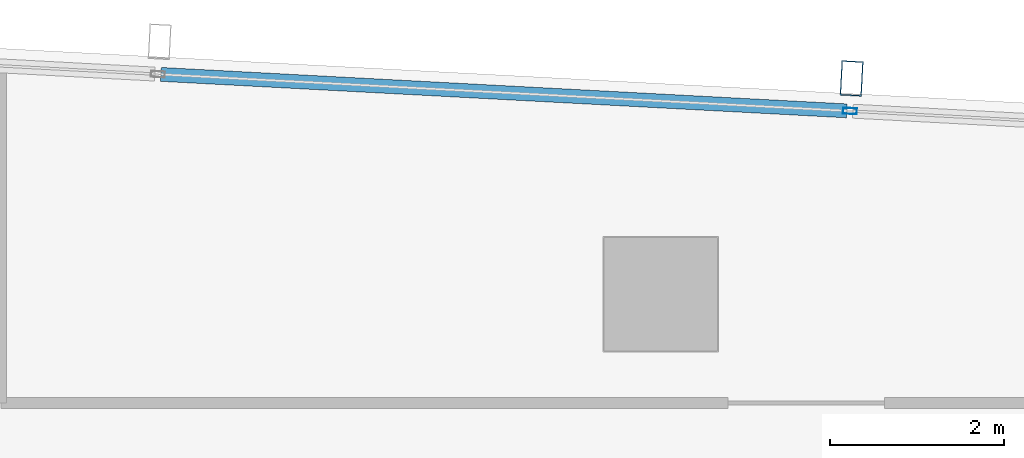
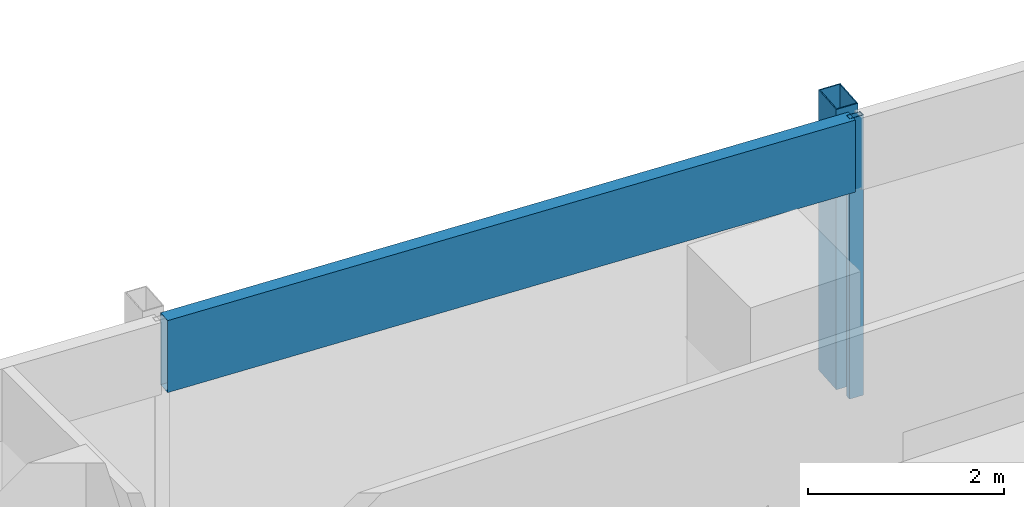
# One storey, part 18 of 30: 3 members, 1 element without a shape of its own.
"""IFC4 building model written with IfcOpenShell, lengths in metres."""

from ifc_helpers import new_model, si_unit, direction, frame, origin, origin_2d, place, context, subcontext, project, spatial, hollow_rectangle, extrude, material, material_profile, profile_set, type_object, element, aggregate, save


model = new_model("IFC4")

# Units and contexts
model_context = context("Model", 3, precision=1e-05, world=origin(), true_north=direction((0.0, 1.0)))
body_context = subcontext(model_context, "Body", "Model", "MODEL_VIEW")
ifc_project = project(units=[si_unit("LENGTHUNIT", "METRE"), si_unit("AREAUNIT", "SQUARE_METRE"), si_unit("VOLUMEUNIT", "CUBIC_METRE"), si_unit("PLANEANGLEUNIT", "RADIAN"), si_unit("MASSUNIT", "GRAM", prefix="KILO")], contexts=[model_context])

# Site, building, storey
site_placement = place(None, origin())
site = spatial("IfcSite", under=ifc_project, at=site_placement, CompositionType="ELEMENT")
building_placement = place(site_placement, origin())
building = spatial("IfcBuilding", under=site, at=building_placement, Name="Rekha Terrace Tower", CompositionType="ELEMENT")
storey_placement = place(building_placement, frame((0.0, 0.0, 272.60009765625)))
storey = spatial("IfcBuildingStorey", under=building, at=storey_placement, Name="L69", CompositionType="ELEMENT", Elevation=272.60009765625)

# Curtain wall, members
ifc_material_1 = material(Name="Aluminium framing", Category="aluminium")
curtain_wall_type = type_object("IfcCurtainWallType", Name="CW3 north unitised glazing", PredefinedType="USERDEFINED", material=ifc_material_1)
curtain_wall_placement = place(storey_placement, origin())
curtain_wall = element("IfcCurtainWall", 1, at=curtain_wall_placement, inside=storey, type_object=curtain_wall_type, Name="CW3 unitised curtain wall", ObjectType="UNITISED CURTAIN WALL", PredefinedType="USERDEFINED")
ifc_material_2 = material(Name="Steel S355 with fluorocarbon finish", Category="steel")
ifc_material_profile_1 = material_profile(ifc_material_2, hollow_rectangle(XDim=0.25, YDim=0.39990234375, WallThickness=0.012451171875, at=origin_2d()), Name="RHS400x250x12.5")
ifc_profile_set_1 = profile_set([ifc_material_profile_1], Name="Steel S355 with fluorocarbon finish")
member_type_1 = type_object("IfcMemberType", Name="BL1 facade blade RHS 400 x 250", PredefinedType="USERDEFINED", material=ifc_profile_set_1)
member_1_placement = place(storey_placement, frame((44.192626953125, 52.87890625, 0.0), z_axis=(0.0, 0.0, 1.0), x_axis=(-0.998590068481, 0.053083661621, 0.0)))
member_1 = element("IfcMember", 2, at=member_1_placement, type_object=member_type_1, Name="Facade blade", ObjectType="FACADE BLADE", PredefinedType="USERDEFINED", context=body_context, shape_type="SweptSolid", body=[
    extrude(hollow_rectangle(XDim=0.25, YDim=0.39990234375, WallThickness=0.012451171875, at=origin_2d()), origin(), (0.0, 0.0, 1.0), 3.5),
])
ifc_material_3 = material(Name="Aluminium mullion section", Category="aluminium")
ifc_material_profile_2 = material_profile(ifc_material_3, hollow_rectangle(XDim=0.070068359375, YDim=0.159912109375, WallThickness=0.00390625, at=origin_2d()), Name="AL RHS 70x160")
ifc_profile_set_2 = profile_set([ifc_material_profile_2], Name="Aluminium mullion section")
member_type_2 = type_object("IfcMemberType", Name="CW3 mullion RHS 70 x 160", PredefinedType="MULLION", material=ifc_profile_set_2)
member_2_placement = place(storey_placement, frame((44.1728515625, 52.50439453125, 0.0), z_axis=(0.0, 0.0, 1.0), x_axis=(-0.053083275524, -0.998590089005, 0.0)))
member_2 = element("IfcMember", 3, at=member_2_placement, type_object=member_type_2, Name="CW3 mullion 3", PredefinedType="MULLION", context=body_context, shape_type="SweptSolid", body=[
    extrude(hollow_rectangle(XDim=0.070068359375, YDim=0.159912109375, WallThickness=0.00390625, at=origin_2d()), origin(), (0.0, 0.0, 1.0), 3.5),
])
ifc_material_4 = material(Name="Insulated aluminium spandrel box", Category="aluminium")
ifc_material_profile_3 = material_profile(ifc_material_4, hollow_rectangle(XDim=0.159912109375, YDim=0.89990234375, WallThickness=0.0029296875, at=origin_2d()), Name="AL SPANDREL BOX 160x900")
ifc_profile_set_3 = profile_set([ifc_material_profile_3], Name="Insulated aluminium spandrel box")
member_type_3 = type_object("IfcMemberType", Name="CW3 spandrel transom 160 x 900", PredefinedType="USERDEFINED", material=ifc_profile_set_3)
member_3_placement = place(storey_placement, frame((44.137939453125, 52.506103515625, 3.0498046875), z_axis=(-0.998589828491, 0.053088176024, 0.0), x_axis=(-0.053088176024, -0.998589828491, 0.0)))
member_3 = element("IfcMember", 4, at=member_3_placement, type_object=member_type_3, Name="CW3 spandrel transom 3", ObjectType="TRANSOM", PredefinedType="USERDEFINED", context=body_context, shape_type="SweptSolid", body=[
    extrude(hollow_rectangle(XDim=0.159912109375, YDim=0.89990234375, WallThickness=0.0029296875, at=origin_2d()), origin(), (0.0, 0.0, 1.0), 7.8916015625),
])
aggregate(curtain_wall, [member_2, member_3, member_1])

save(model, "model.ifc")
